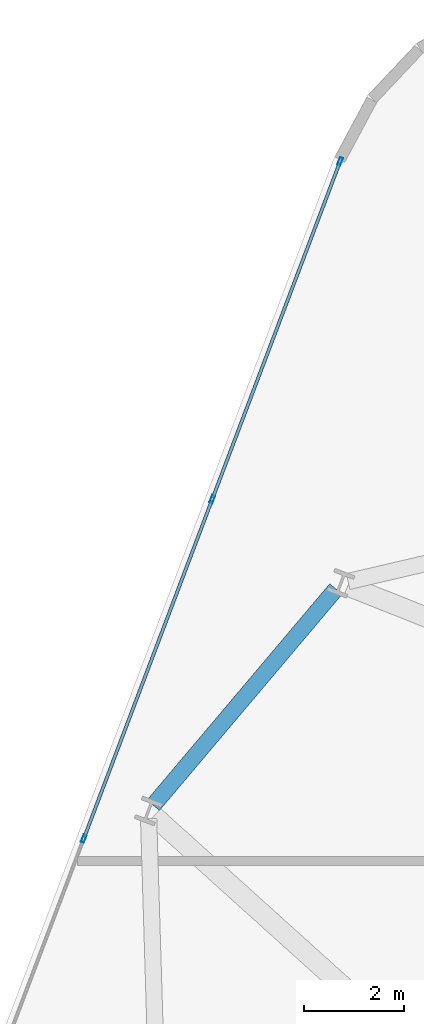
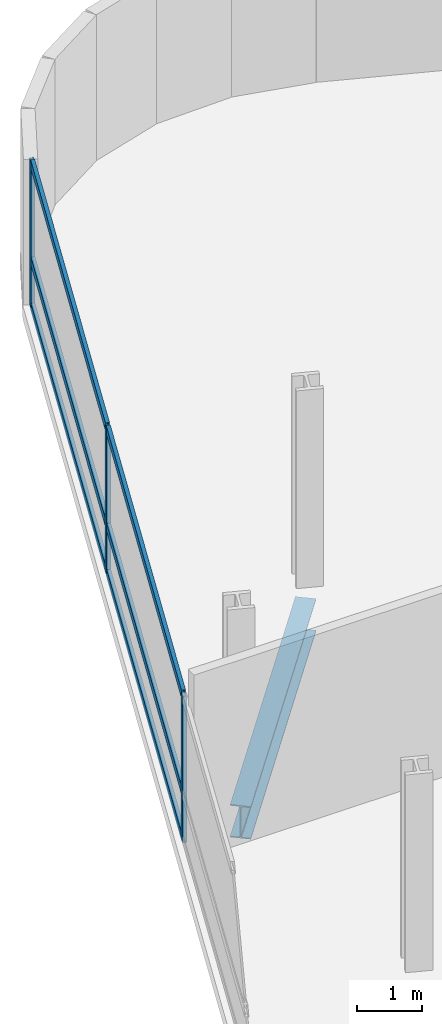
# One storey, part 8 of 25: 9 members, 1 beam, 1 element without a shape of its own.
"""IFC4 building model written with IfcOpenShell, lengths in metres."""

from ifc_helpers import new_model, si_unit, direction, frame, origin, origin_2d, place, context, subcontext, project, spatial, hollow_rectangle, i_section, extrude, material, layer, layer_set, material_profile, profile_set, type_object, element, aggregate, save


model = new_model("IFC4")

# Units and contexts
model_context = context("Model", 3, precision=1e-05, world=origin(), true_north=direction((0.0, 1.0)))
body_context = subcontext(model_context, "Body", "Model", "MODEL_VIEW")
ifc_project = project(units=[si_unit("LENGTHUNIT", "METRE"), si_unit("AREAUNIT", "SQUARE_METRE"), si_unit("VOLUMEUNIT", "CUBIC_METRE"), si_unit("PLANEANGLEUNIT", "RADIAN"), si_unit("MASSUNIT", "GRAM", prefix="KILO")], contexts=[model_context])

# Site, building, storey
site_placement = place(None, origin())
site = spatial("IfcSite", under=ifc_project, at=site_placement, CompositionType="ELEMENT")
building_placement = place(site_placement, origin())
building = spatial("IfcBuilding", under=site, at=building_placement, Name="Varnelok Gate Tower", CompositionType="ELEMENT")
storey_placement = place(building_placement, frame((0.0, 0.0, 76.199951171875)))
storey = spatial("IfcBuildingStorey", under=building, at=storey_placement, Name="L18", CompositionType="ELEMENT", Elevation=76.199951171875)

# Beam
ifc_material_1 = material(Name="Structural Steel ASTM A992 Grade 50", Category="steel")
ifc_material_profile_1 = material_profile(ifc_material_1, i_section(OverallWidth=0.323974609375, OverallDepth=0.611083984375, WebThickness=0.0126953125, FlangeThickness=0.01904296875, FilletRadius=0.01806640625, at=origin_2d()), Name="W24X104")
ifc_profile_set_1 = profile_set([ifc_material_profile_1], Name="Structural Steel ASTM A992 Grade 50")
beam_type = type_object("IfcBeamType", Name="BM-SPN-W24X104", PredefinedType="SPANDREL", material=ifc_profile_set_1)
beam_placement = place(storey_placement, frame((10.66650390625, 46.857666015625, -0.555419921875), z_axis=(-0.645376429405, -0.763864689829, 0.0), x_axis=(0.763864689829, -0.645376429405, 0.0)))
element("IfcBeam", 1, at=beam_placement, inside=storey, type_object=beam_type, Name="L18 Perimeter Spandrel Beam 14", PredefinedType="SPANDREL", context=body_context, shape_type="SweptSolid", body=[
    extrude(i_section(OverallWidth=0.323974609375, OverallDepth=0.611083984375, WebThickness=0.0126953125, FlangeThickness=0.01904296875, FilletRadius=0.01806640625, at=origin_2d()), origin(), (0.0, 0.0, 1.0), 5.64990234375),
])

# Curtain wall, members
ifc_material_2 = material(Name="Anodized Aluminum Alloy 6063-T6", Category="aluminium")
ifc_layer = layer(ifc_material_2, 0.179931640625)
ifc_layer_set = layer_set([ifc_layer], Name="Anodized Aluminum Alloy 6063-T6")
curtain_wall_type = type_object("IfcCurtainWallType", Name="CW3-HOTEL-VISION", PredefinedType="USERDEFINED", material=ifc_layer_set)
curtain_wall_placement = place(storey_placement, origin())
curtain_wall = element("IfcCurtainWall", 2, at=curtain_wall_placement, inside=storey, type_object=curtain_wall_type, Name="L18 West End Vision Curtain Wall", ObjectType="UNITISED CURTAIN WALL", PredefinedType="USERDEFINED")
ifc_material_profile_2 = material_profile(ifc_material_2, hollow_rectangle(XDim=0.06494140625, YDim=0.159912109375, WallThickness=0.00390625, at=origin_2d()), Name="ALU160X65X4")
ifc_profile_set_2 = profile_set([ifc_material_profile_2], Name="Anodized Aluminum Alloy 6063-T6")
member_type_1 = type_object("IfcMemberType", Name="CW-MULL-160", PredefinedType="MULLION", material=ifc_profile_set_2)
member_1_placement = place(storey_placement, frame((5.63525390625, 41.8779296875, 0.0), z_axis=(0.0, 0.0, 1.0), x_axis=(-0.935221323688, 0.354063660545, 0.0)))
member_1 = element("IfcMember", 3, at=member_1_placement, type_object=member_type_1, Name="CW3 mullion 4", PredefinedType="MULLION", context=body_context, shape_type="SweptSolid", body=[
    extrude(hollow_rectangle(XDim=0.06494140625, YDim=0.159912109375, WallThickness=0.00390625, at=origin_2d()), origin(), (0.0, 0.0, 1.0), 2.72998046875),
])
member_2_placement = place(storey_placement, frame((8.19873046875, 48.64892578125, 0.0), z_axis=(0.0, 0.0, 1.0), x_axis=(-0.935221323688, 0.354063660545, 0.0)))
member_2 = element("IfcMember", 4, at=member_2_placement, type_object=member_type_1, Name="CW3 mullion 5", PredefinedType="MULLION", context=body_context, shape_type="SweptSolid", body=[
    extrude(hollow_rectangle(XDim=0.06494140625, YDim=0.159912109375, WallThickness=0.00390625, at=origin_2d()), origin(), (0.0, 0.0, 1.0), 2.72998046875),
])
member_3_placement = place(storey_placement, frame((10.750732421875, 55.389404296875, 0.0), z_axis=(0.0, 0.0, 1.0), x_axis=(-0.935221323688, 0.354063660545, 0.0)))
member_3 = element("IfcMember", 5, at=member_3_placement, type_object=member_type_1, Name="CW3 mullion 6", PredefinedType="MULLION", context=body_context, shape_type="SweptSolid", body=[
    extrude(hollow_rectangle(XDim=0.06494140625, YDim=0.159912109375, WallThickness=0.00390625, at=origin_2d()), origin(), (0.0, 0.0, 1.0), 2.72998046875),
])
ifc_material_profile_3 = material_profile(ifc_material_2, hollow_rectangle(XDim=0.06494140625, YDim=0.159912109375, WallThickness=0.00390625, at=origin_2d()), Name="ALU160X65X4")
ifc_profile_set_3 = profile_set([ifc_material_profile_3], Name="Anodized Aluminum Alloy 6063-T6")
member_type_2 = type_object("IfcMemberType", Name="CW-TRAN-160", PredefinedType="USERDEFINED", material=ifc_profile_set_3)
member_4_placement = place(storey_placement, frame((5.64697265625, 41.908203125, 0.032470703125), z_axis=(0.354048963644, 0.935226887628, 0.0), x_axis=(-0.935226887628, 0.354048963644, 0.0)))
member_4 = element("IfcMember", 6, at=member_4_placement, type_object=member_type_2, Name="CW3 transom 4.1", ObjectType="TRANSOM", PredefinedType="USERDEFINED", context=body_context, shape_type="SweptSolid", body=[
    extrude(hollow_rectangle(XDim=0.06494140625, YDim=0.159912109375, WallThickness=0.00390625, at=origin_2d()), origin(), (0.0, 0.0, 1.0), 7.175048828125),
])
member_5_placement = place(storey_placement, frame((5.64697265625, 41.908203125, 0.900146484375), z_axis=(0.354048963644, 0.935226887628, 0.0), x_axis=(-0.935226887628, 0.354048963644, 0.0)))
member_5 = element("IfcMember", 7, at=member_5_placement, type_object=member_type_2, Name="CW3 transom 4.2", ObjectType="TRANSOM", PredefinedType="USERDEFINED", context=body_context, shape_type="SweptSolid", body=[
    extrude(hollow_rectangle(XDim=0.06494140625, YDim=0.159912109375, WallThickness=0.00390625, at=origin_2d()), origin(), (0.0, 0.0, 1.0), 7.175048828125),
])
member_6_placement = place(storey_placement, frame((5.64697265625, 41.908203125, 2.697509765625), z_axis=(0.354048963644, 0.935226887628, 0.0), x_axis=(-0.935226887628, 0.354048963644, 0.0)))
member_6 = element("IfcMember", 8, at=member_6_placement, type_object=member_type_2, Name="CW3 transom 4.3", ObjectType="TRANSOM", PredefinedType="USERDEFINED", context=body_context, shape_type="SweptSolid", body=[
    extrude(hollow_rectangle(XDim=0.06494140625, YDim=0.159912109375, WallThickness=0.00390625, at=origin_2d()), origin(), (0.0, 0.0, 1.0), 7.175048828125),
])
member_7_placement = place(storey_placement, frame((8.210205078125, 48.67919921875, 0.032470703125), z_axis=(0.354077146385, 0.935216217999, 0.0), x_axis=(-0.935216217999, 0.354077146385, 0.0)))
member_7 = element("IfcMember", 9, at=member_7_placement, type_object=member_type_2, Name="CW3 transom 5.1", ObjectType="TRANSOM", PredefinedType="USERDEFINED", context=body_context, shape_type="SweptSolid", body=[
    extrude(hollow_rectangle(XDim=0.06494140625, YDim=0.159912109375, WallThickness=0.00390625, at=origin_2d()), origin(), (0.0, 0.0, 1.0), 7.142578125),
])
member_8_placement = place(storey_placement, frame((8.210205078125, 48.67919921875, 0.900146484375), z_axis=(0.354077146385, 0.935216217999, 0.0), x_axis=(-0.935216217999, 0.354077146385, 0.0)))
member_8 = element("IfcMember", 10, at=member_8_placement, type_object=member_type_2, Name="CW3 transom 5.2", ObjectType="TRANSOM", PredefinedType="USERDEFINED", context=body_context, shape_type="SweptSolid", body=[
    extrude(hollow_rectangle(XDim=0.06494140625, YDim=0.159912109375, WallThickness=0.00390625, at=origin_2d()), origin(), (0.0, 0.0, 1.0), 7.142578125),
])
member_9_placement = place(storey_placement, frame((8.210205078125, 48.67919921875, 2.697509765625), z_axis=(0.354077146385, 0.935216217999, 0.0), x_axis=(-0.935216217999, 0.354077146385, 0.0)))
member_9 = element("IfcMember", 11, at=member_9_placement, type_object=member_type_2, Name="CW3 transom 5.3", ObjectType="TRANSOM", PredefinedType="USERDEFINED", context=body_context, shape_type="SweptSolid", body=[
    extrude(hollow_rectangle(XDim=0.06494140625, YDim=0.159912109375, WallThickness=0.00390625, at=origin_2d()), origin(), (0.0, 0.0, 1.0), 7.142578125),
])
aggregate(curtain_wall, [member_1, member_2, member_3, member_4, member_5, member_6, member_7, member_8, member_9])

save(model, "model.ifc")
